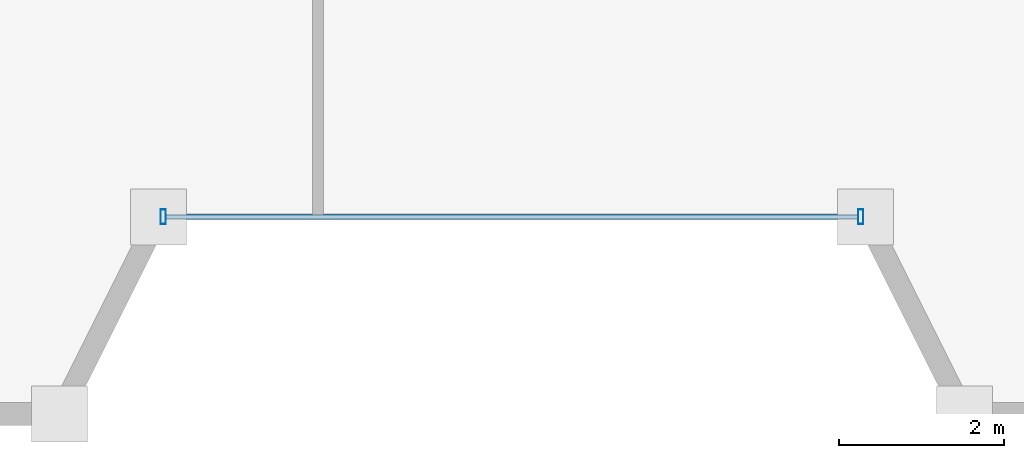
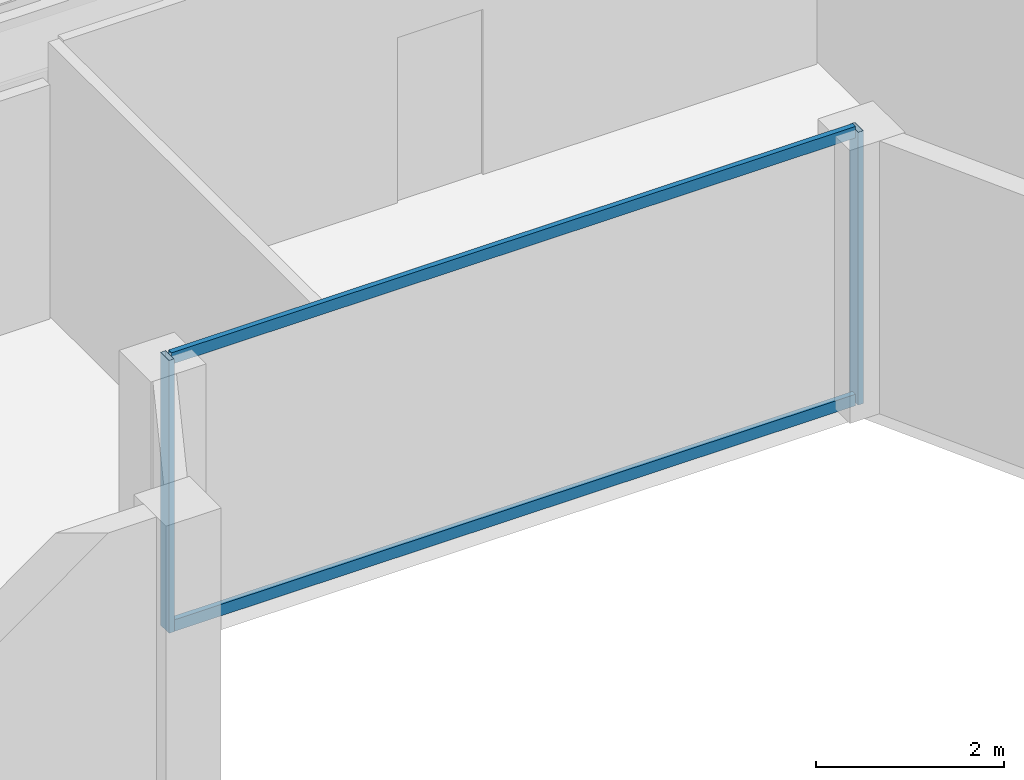
# One storey, part 4 of 20: 4 members, 1 element without a shape of its own.
"""IFC4 building model written with IfcOpenShell, lengths in metres."""

from ifc_helpers import new_model, si_unit, direction, frame, origin, origin_2d, place, context, subcontext, project, spatial, hollow_rectangle, extrude, material, material_profile, profile_set, type_object, element, aggregate, save


model = new_model("IFC4")

# Units and contexts
model_context = context("Model", 3, precision=1e-05, world=origin(), true_north=direction((0.0, 1.0)))
body_context = subcontext(model_context, "Body", "Model", "MODEL_VIEW")
ifc_project = project(units=[si_unit("LENGTHUNIT", "METRE"), si_unit("AREAUNIT", "SQUARE_METRE"), si_unit("VOLUMEUNIT", "CUBIC_METRE"), si_unit("PLANEANGLEUNIT", "RADIAN"), si_unit("MASSUNIT", "GRAM", prefix="KILO")], contexts=[model_context])

# Site, building, storey
site_placement = place(None, origin())
site = spatial("IfcSite", under=ifc_project, at=site_placement, CompositionType="ELEMENT")
building_placement = place(site_placement, origin())
building = spatial("IfcBuilding", under=site, at=building_placement, Name="Saevonmaru Cultural Tower", CompositionType="ELEMENT")
storey_placement = place(building_placement, frame((0.0, 0.0, 295.199951171875)))
storey = spatial("IfcBuildingStorey", under=building, at=storey_placement, Name="L70", CompositionType="ELEMENT", Elevation=295.199951171875)

# Curtain wall, members
ifc_material = material(Name="Satin Bronze Anodised Aluminium", Category="aluminium")
curtain_wall_type = type_object("IfcCurtainWallType", Name="CW-TYP-B", PredefinedType="NOTDEFINED", material=ifc_material)
curtain_wall_placement = place(storey_placement, origin())
curtain_wall = element("IfcCurtainWall", 1, at=curtain_wall_placement, inside=storey, type_object=curtain_wall_type, Name="L70 Unitised Curtain Wall E4", PredefinedType="NOTDEFINED")
ifc_material_profile_1 = material_profile(ifc_material, hollow_rectangle(XDim=0.06494140625, YDim=0.179931640625, WallThickness=0.00390625, at=origin_2d()), Name="ALU-MULL-180x65x4")
ifc_profile_set_1 = profile_set([ifc_material_profile_1], Name="Satin Bronze Anodised Aluminium")
member_type_1 = type_object("IfcMemberType", Name="ML-CW-180x65", PredefinedType="MULLION", material=ifc_profile_set_1)
member_1_placement = place(storey_placement, frame((25.760009765625, 35.0, 0.0), z_axis=(0.0, 0.0, 1.0), x_axis=(1.0, 0.0, 0.0)))
member_1 = element("IfcMember", 2, at=member_1_placement, type_object=member_type_1, Name="CW-TW-L70-E4 mullion 1", PredefinedType="MULLION", context=body_context, shape_type="SweptSolid", body=[
    extrude(hollow_rectangle(XDim=0.06494140625, YDim=0.179931640625, WallThickness=0.00390625, at=origin_2d()), origin(), (0.0, 0.0, 1.0), 3.550048828125),
])
member_2_placement = place(storey_placement, frame((34.239990234375, 35.0, 0.0), z_axis=(0.0, 0.0, 1.0), x_axis=(1.0, 0.0, 0.0)))
member_2 = element("IfcMember", 3, at=member_2_placement, type_object=member_type_1, Name="CW-TW-L70-E4 mullion 2", PredefinedType="MULLION", context=body_context, shape_type="SweptSolid", body=[
    extrude(hollow_rectangle(XDim=0.06494140625, YDim=0.179931640625, WallThickness=0.00390625, at=origin_2d()), origin(), (0.0, 0.0, 1.0), 3.550048828125),
])
ifc_material_profile_2 = material_profile(ifc_material, hollow_rectangle(XDim=0.06494140625, YDim=0.14990234375, WallThickness=0.00390625, at=origin_2d()), Name="ALU-TRAN-150x65x4")
ifc_profile_set_2 = profile_set([ifc_material_profile_2], Name="Satin Bronze Anodised Aluminium")
member_type_2 = type_object("IfcMemberType", Name="TR-CW-150x65", PredefinedType="USERDEFINED", material=ifc_profile_set_2)
member_3_placement = place(storey_placement, frame((25.79248046875, 35.0, 0.032470703125), z_axis=(1.0, 0.0, 0.0), x_axis=(0.0, 1.0, 0.0)))
member_3 = element("IfcMember", 4, at=member_3_placement, type_object=member_type_2, Name="CW-TW-L70-E4 transom 1.1", ObjectType="TRANSOM", PredefinedType="USERDEFINED", context=body_context, shape_type="SweptSolid", body=[
    extrude(hollow_rectangle(XDim=0.06494140625, YDim=0.14990234375, WallThickness=0.00390625, at=origin_2d()), origin(), (0.0, 0.0, 1.0), 8.4150390625),
])
member_4_placement = place(storey_placement, frame((25.79248046875, 35.0, 3.517578125), z_axis=(1.0, 0.0, 0.0), x_axis=(0.0, 1.0, 0.0)))
member_4 = element("IfcMember", 5, at=member_4_placement, type_object=member_type_2, Name="CW-TW-L70-E4 transom 1.2", ObjectType="TRANSOM", PredefinedType="USERDEFINED", context=body_context, shape_type="SweptSolid", body=[
    extrude(hollow_rectangle(XDim=0.06494140625, YDim=0.14990234375, WallThickness=0.00390625, at=origin_2d()), origin(), (0.0, 0.0, 1.0), 8.4150390625),
])
aggregate(curtain_wall, [member_1, member_2, member_3, member_4])

save(model, "model.ifc")
